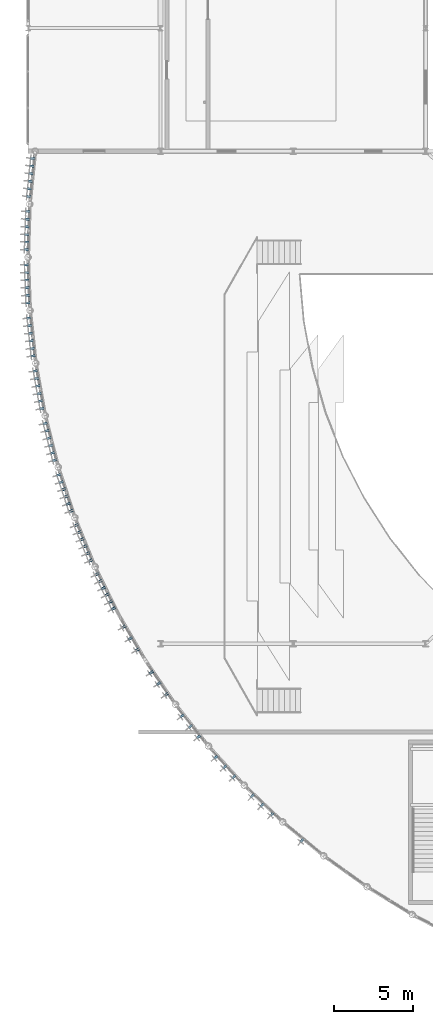
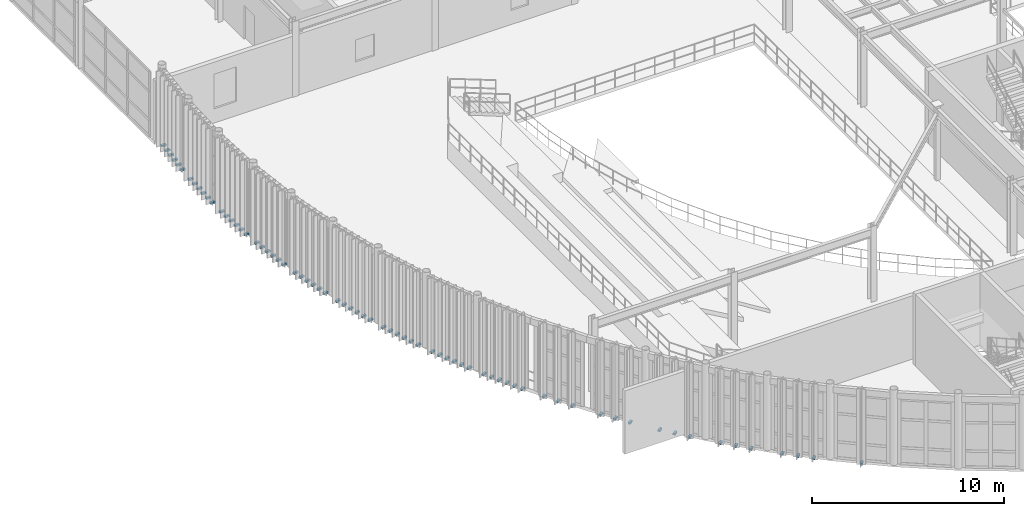
# One storey, part 105 of 116: 70 discrete accessories.
"""IFC4 building model written with IfcOpenShell, lengths in metres."""

import ifcopenshell
import ifcopenshell.guid

model = None  # the IFC model being written
_history = None  # IfcOwnerHistory: only IFC2X3 demands one
_inside = {}  # id of a spatial element -> (the spatial element, [elements in it])
_under = {}  # id of a project, library or spatial element -> (it, [spatial elements below it])
_declared = {}  # id of a project -> (the project, [libraries it declares])
_typed = {}  # id of a type object -> (the type object, [elements of that type])
_made_of = {}  # id of a material, layer set ... -> (it, [elements and type objects made of it])


def new_model(schema):
    """Start an empty IFC model of exactly this schema.

    Asked for "IFC4X3", IfcOpenShell would pick the latest addendum, in which some entities
    have other attributes; the version numbers below select the first issue.
    IFC2X3 requires an IfcOwnerHistory on every rooted entity: one is made here for all.
    """
    global model, _history
    if schema == "IFC4X3":
        model = ifcopenshell.file(schema_version=(4, 3, 0, 0))
    else:
        model = ifcopenshell.file(schema=schema)
    _inside.clear()
    _under.clear()
    _declared.clear()
    _typed.clear()
    _made_of.clear()
    _history = None
    if model.schema == "IFC2X3":
        org = make("IfcOrganization", Name="unknown")
        user = make(
            "IfcPersonAndOrganization",
            ThePerson=make("IfcPerson", FamilyName="unknown"),
            TheOrganization=org,
        )
        app = make(
            "IfcApplication",
            ApplicationDeveloper=org,
            Version="unknown",
            ApplicationFullName="unknown",
            ApplicationIdentifier="unknown",
        )
        _history = make(
            "IfcOwnerHistory",
            OwningUser=user,
            OwningApplication=app,
            ChangeAction="ADDED",
            CreationDate=0,
        )
    return model


def make(cls, **values):
    """One entity of the class cls with the attributes given. An attribute that is None is left unset."""
    return model.create_entity(
        cls, **{name: value for name, value in values.items() if value is not None}
    )


def rooted(cls, **values):
    """An entity with a GlobalId (a new one), such as an element, a storey or a relation."""
    return make(cls, GlobalId=ifcopenshell.guid.new(), OwnerHistory=_history, **values)


def si_unit(unit_type, name, prefix=None):
    """IfcSIUnit, for example si_unit("LENGTHUNIT", "METRE", prefix="MILLI")."""
    return make("IfcSIUnit", UnitType=unit_type, Prefix=prefix, Name=name)


def assignment(units):
    """IfcUnitAssignment: the units of a project."""
    return None if units is None else make("IfcUnitAssignment", Units=units)


def point(xyz):
    """IfcCartesianPoint."""
    return None if xyz is None else make("IfcCartesianPoint", Coordinates=xyz)


def direction(xyz):
    """IfcDirection."""
    return None if xyz is None else make("IfcDirection", DirectionRatios=xyz)


def frame(location, z_axis=None, x_axis=None):
    """IfcAxis2Placement3D, a coordinate frame: its origin and axes. An axis left out is left unset."""
    return make(
        "IfcAxis2Placement3D",
        Location=point(location),
        Axis=direction(z_axis),
        RefDirection=direction(x_axis),
    )


def frame_2d(location, x_axis=None):
    """IfcAxis2Placement2D, a coordinate frame in the plane: its origin and x axis."""
    return make(
        "IfcAxis2Placement2D", Location=point(location), RefDirection=direction(x_axis)
    )


def origin():
    """The frame at (0, 0, 0) with its axes left unset."""
    return frame((0.0, 0.0, 0.0))


def origin_2d():
    """The frame at (0, 0) in the plane with its x axis left unset."""
    return frame_2d((0.0, 0.0))


def place(relative_to, where):
    """IfcLocalPlacement: puts the frame where relative to a parent placement (None: the world)."""
    return make(
        "IfcLocalPlacement", PlacementRelTo=relative_to, RelativePlacement=where
    )


def context(
    kind, dimensions, precision=None, world=None, true_north=None, identifier=None
):
    """IfcGeometricRepresentationContext, for example the 3D "Model" context."""
    return make(
        "IfcGeometricRepresentationContext",
        ContextIdentifier=identifier,
        ContextType=kind,
        CoordinateSpaceDimension=dimensions,
        Precision=precision,
        WorldCoordinateSystem=world,
        TrueNorth=true_north,
    )


def subcontext(parent, identifier, kind, view, scale=None):
    """IfcGeometricRepresentationSubContext, for example "Body" below "Model"."""
    return make(
        "IfcGeometricRepresentationSubContext",
        ContextIdentifier=identifier,
        ContextType=kind,
        ParentContext=parent,
        TargetScale=scale,
        TargetView=view,
    )


def project(units=None, contexts=None):
    """IfcProject with its units and contexts."""
    return rooted(
        "IfcProject",
        Name="project",
        RepresentationContexts=contexts,
        UnitsInContext=assignment(units),
    )


def spatial(cls, under=None, at=None, **own):
    """A site, building, storey or space (cls), placed at a placement, below another one or the project."""
    s = rooted(cls, ObjectPlacement=at, **own)
    if under is not None:
        _under.setdefault(under.id(), (under, []))[1].append(s)
    return s


def profile(cls, at=None, kind="AREA", **sizes):
    """A parametric profile (cls). Its sizes go by their IFC names, for example OverallWidth=200.0."""
    return make(cls, ProfileType=kind, Position=at, **sizes)


def rectangle(**sizes):
    """IfcRectangleProfileDef."""
    return profile("IfcRectangleProfileDef", **sizes)


def extrude(swept, where, along, depth):
    """IfcExtrudedAreaSolid: the profile swept, set in the frame where, extruded along a direction by depth."""
    return make(
        "IfcExtrudedAreaSolid",
        SweptArea=swept,
        Position=where,
        ExtrudedDirection=direction(along),
        Depth=depth,
    )


def shape(context_of_items, identifier, shape_type, items):
    """IfcShapeRepresentation: the items that make up one representation, for example the "Body"."""
    return make(
        "IfcShapeRepresentation",
        ContextOfItems=context_of_items,
        RepresentationIdentifier=identifier,
        RepresentationType=shape_type,
        Items=items,
    )


def material(Name=None, Category=None):
    """IfcMaterial."""
    return make("IfcMaterial", Name=Name, Category=Category)


def made_of(thing, what):
    """Note that an element or type object is made of a material, layer set ...; save() writes the relation."""
    if what is not None:
        _made_of.setdefault(what.id(), (what, []))[1].append(thing)
    return thing


def type_object(cls, material=None, **own):
    """A type object (cls), such as IfcWallType, which elements share."""
    return made_of(rooted(cls, **own), material)


def element(
    cls,
    number,
    at=None,
    inside=None,
    cuts=None,
    type_object=None,
    material=None,
    context=None,
    identifier="Body",
    shape_type=None,
    held_by="IfcProductDefinitionShape",
    body=None,
    shapes=None,
    **own,
):
    """One element of the class cls, such as IfcWall. Its Tag is "e" and its number.

    at: its placement. inside: the storey or other place that contains it. cuts: it is an
    opening in that element (IfcRelVoidsElement). A single representation is given by context,
    identifier, shape_type and body (its items); several are given by shapes. held_by: the class
    of the entity that holds the representations. save() writes the other relations.
    """
    e = rooted(cls, Tag="e%d" % number, ObjectPlacement=at, **own)
    if body is not None:
        shapes = [shape(context, identifier, shape_type, body)]
    if shapes is not None:
        e.Representation = make(held_by, Representations=shapes)
    if inside is not None:
        _inside.setdefault(inside.id(), (inside, []))[1].append(e)
    if cuts is not None:
        rooted(
            "IfcRelVoidsElement", RelatingBuildingElement=cuts, RelatedOpeningElement=e
        )
    if type_object is not None:
        _typed.setdefault(type_object.id(), (type_object, []))[1].append(e)
    return made_of(e, material)


def aggregate(whole, parts):
    """IfcRelAggregates: a whole, such as a stair, and the parts it consists of."""
    return rooted("IfcRelAggregates", RelatingObject=whole, RelatedObjects=parts)


def save(model, path):
    """Write the relations noted so far, then the file.

    IfcRelAggregates (storeys below a building ...), IfcRelContainedInSpatialStructure (elements
    in a storey), IfcRelDefinesByType, IfcRelAssociatesMaterial and IfcRelDeclares: one each for
    every whole, place, type object, material and project.
    """
    for whole, parts in _under.values():
        aggregate(whole, parts)
    for where, things in _inside.values():
        rooted(
            "IfcRelContainedInSpatialStructure",
            RelatedElements=things,
            RelatingStructure=where,
        )
    for kind, things in _typed.values():
        rooted("IfcRelDefinesByType", RelatedObjects=things, RelatingType=kind)
    for what, things in _made_of.values():
        rooted("IfcRelAssociatesMaterial", RelatedObjects=things, RelatingMaterial=what)
    for by, libraries in _declared.values():
        rooted("IfcRelDeclares", RelatingContext=by, RelatedDefinitions=libraries)
    model.write(path)


model = new_model("IFC4")

# Units and contexts
model_context = context("Model", 3, precision=1e-05, world=origin(), true_north=direction((0.0, 1.0)))
body_context = subcontext(model_context, "Body", "Model", "MODEL_VIEW")
ifc_project = project(units=[si_unit("LENGTHUNIT", "METRE"), si_unit("AREAUNIT", "SQUARE_METRE"), si_unit("VOLUMEUNIT", "CUBIC_METRE"), si_unit("PLANEANGLEUNIT", "RADIAN"), si_unit("MASSUNIT", "GRAM", prefix="KILO")], contexts=[model_context])

# Site, building, storey
site_placement = place(None, origin())
site = spatial("IfcSite", under=ifc_project, at=site_placement, CompositionType="ELEMENT")
building_placement = place(site_placement, origin())
building = spatial("IfcBuilding", under=site, at=building_placement, Name="Selat Folded Stagehouse", CompositionType="ELEMENT")
storey_placement = place(building_placement, frame((0.0, 0.0, 5.39990234375)))
storey = spatial("IfcBuildingStorey", under=building, at=storey_placement, Name="L01", CompositionType="ELEMENT", Elevation=5.39990234375)

# Discrete accessories
ifc_material = material(Name="Stainless steel 1.4401", Category="steel")
discrete_accessory_type = type_object("IfcDiscreteAccessoryType", Name="ACC-BRK-280x140x110", PredefinedType="BRACKET", material=ifc_material)
for number, where, z_axis, x_axis, name in (
    (1, (0.28759765625, 54.13671875, -0.134765625), (0.0, 0.0, 1.0), (-0.991827775753, 0.127583945876, 0.0), "L01 solar fin slab bracket 001"),
    (2, (0.23779296875, 53.656494140625, -0.134765625), (0.0, 0.0, 1.0), (-0.993068456955, 0.117537397458, 0.0), "L01 solar fin slab bracket 006"),
    (3, (0.1884765625, 53.1767578125, -0.134765625), (0.0, 0.0, 1.0), (-0.994188602291, 0.107652324982, 0.0), "L01 solar fin slab bracket 011"),
    (4, (0.138916015625, 52.69677734375, -0.134765625), (0.0, 0.0, 1.0), (-0.995227399982, 0.097582899759, 0.0), "L01 solar fin slab bracket 016"),
    (5, (0.08935546875, 52.216796875, -0.134765625), (0.0, 0.0, 1.0), (-0.996148926897, 0.087677337101, 0.0), "L01 solar fin slab bracket 021"),
    (6, (0.039794921875, 51.73681640625, -0.134765625), (0.0, 0.0, 1.0), (-0.996971865568, 0.077763097071, 0.0), "L01 solar fin slab bracket 026"),
    (7, (-0.025390625, 50.774658203125, -0.134765625), (0.0, 0.0, 1.0), (-0.99833175459, 0.0577382696, 0.0), "L01 solar fin slab bracket 032"),
    (8, (-0.041259765625, 50.29248046875, -0.134765625), (0.0, 0.0, 1.0), (-0.998865073158, 0.047629461744, 0.0), "L01 solar fin slab bracket 038"),
    (9, (-0.056884765625, 49.810302734375, -0.134765625), (0.0, 0.0, 1.0), (-0.999289472641, 0.03769018267, 0.0), "L01 solar fin slab bracket 044"),
    (10, (-0.07275390625, 49.327880859375, -0.134765625), (0.0, 0.0, 1.0), (-0.999619800631, 0.027572707275, 0.0), "L01 solar fin slab bracket 050"),
    (11, (-0.08837890625, 48.845703125, -0.134765625), (0.0, 0.0, 1.0), (-0.999844633908, 0.017626912514, 0.0), "L01 solar fin slab bracket 056"),
    (12, (-0.104248046875, 48.363525390625, -0.134765625), (0.0, 0.0, 1.0), (-0.999971838252, 0.007504845333, 0.0), "L01 solar fin slab bracket 062"),
    (13, (-0.101806640625, 47.399169921875, -0.134765625), (0.0, 0.0, 1.0), (-0.999921044204, -0.012566039883, 0.0), "L01 solar fin slab bracket 068"),
    (14, (-0.083740234375, 46.9169921875, -0.134765625), (0.0, 0.0, 1.0), (-0.999746553782, -0.022512845226, 0.0), "L01 solar fin slab bracket 074"),
    (15, (-0.065673828125, 46.434814453125, -0.134765625), (0.0, 0.0, 1.0), (-0.999467438949, -0.032631862958, 0.0), "L01 solar fin slab bracket 080"),
    (16, (-0.04736328125, 45.95263671875, -0.134765625), (0.0, 0.0, 1.0), (-0.9990933519, -0.042573162788, 0.0), "L01 solar fin slab bracket 086"),
    (17, (-0.029296875, 45.470703125, -0.134765625), (0.0, 0.0, 1.0), (-0.998620385197, -0.052510249179, 0.0), "L01 solar fin slab bracket 092"),
    (18, (-0.01123046875, 44.98828125, -0.134765625), (0.0, 0.0, 1.0), (-0.99803767224, -0.06261633005, 0.0), "L01 solar fin slab bracket 098"),
    (19, (0.058837890625, 44.026611328125, -0.134765625), (0.0, 0.0, 1.0), (-0.996579940078, -0.08263427276, 0.0), "L01 solar fin slab bracket 104"),
    (20, (0.11083984375, 43.546875, -0.134765625), (0.0, 0.0, 1.0), (-0.99570856131, -0.092544372783, 0.0), "L01 solar fin slab bracket 110"),
    (21, (0.16259765625, 43.067138671875, -0.134765625), (0.0, 0.0, 1.0), (-0.994720742649, -0.10261892683, 0.0), "L01 solar fin slab bracket 116"),
    (22, (0.214599609375, 42.58740234375, -0.134765625), (0.0, 0.0, 1.0), (-0.993650644295, -0.112509542228, 0.0), "L01 solar fin slab bracket 122"),
    (23, (0.2666015625, 42.10791015625, -0.134765625), (0.0, 0.0, 1.0), (-0.992460828919, -0.122562241583, 0.0), "L01 solar fin slab bracket 128"),
    (24, (0.318359375, 41.628173828125, -0.134765625), (0.0, 0.0, 1.0), (-0.99119244206, -0.13242938799, 0.0), "L01 solar fin slab bracket 134"),
    (25, (0.455810546875, 40.673583984375, -0.134765625), (0.0, 0.0, 1.0), (-0.988334944875, -0.152295885498, 0.0), "L01 solar fin slab bracket 140"),
    (26, (0.541015625, 40.19873046875, -0.134765625), (0.0, 0.0, 1.0), (-0.986770965572, -0.162120515372, 0.0), "L01 solar fin slab bracket 146"),
    (27, (0.62646484375, 39.723876953125, -0.134765625), (0.0, 0.0, 1.0), (-0.985079303862, -0.172101031672, 0.0), "L01 solar fin slab bracket 152"),
    (28, (0.7119140625, 39.248779296875, -0.134765625), (0.0, 0.0, 1.0), (-0.983318459858, -0.181892293686, 0.0), "L01 solar fin slab bracket 158"),
    (29, (0.79736328125, 38.774169921875, -0.134765625), (0.0, 0.0, 1.0), (-0.981426830534, -0.191836848149, 0.0), "L01 solar fin slab bracket 164"),
    (30, (0.8828125, 38.29931640625, -0.134765625), (0.0, 0.0, 1.0), (-0.979469831173, -0.20159079796, 0.0), "L01 solar fin slab bracket 170"),
    (31, (1.086669921875, 37.356689453125, -0.134765625), (0.0, 0.0, 1.0), (-0.975226629909, -0.22120809279, 0.0), "L01 solar fin slab bracket 176"),
    (32, (1.205078125, 36.888916015625, -0.134765625), (0.0, 0.0, 1.0), (-0.972937431695, -0.231068721395, 0.0), "L01 solar fin slab bracket 182"),
    (33, (1.32373046875, 36.421142578125, -0.134765625), (0.0, 0.0, 1.0), (-0.970590565411, -0.240736275485, 0.0), "L01 solar fin slab bracket 188"),
    (34, (1.442138671875, 35.95361328125, -0.134765625), (0.0, 0.0, 1.0), (-0.968103926078, -0.25054897388, 0.0), "L01 solar fin slab bracket 194"),
    (35, (1.560791015625, 35.48583984375, -0.134765625), (0.0, 0.0, 1.0), (-0.965563505285, -0.260167479254, 0.0), "L01 solar fin slab bracket 200"),
    (36, (1.67919921875, 35.01806640625, -0.134765625), (0.0, 0.0, 1.0), (-0.962880426559, -0.26992829446, 0.0), "L01 solar fin slab bracket 206"),
    (37, (1.94873046875, 34.092041015625, -0.134765625), (0.0, 0.0, 1.0), (-0.957319497532, -0.289031796944, 0.0), "L01 solar fin slab bracket 212"),
    (38, (2.099853515625, 33.6337890625, -0.134765625), (0.0, 0.0, 1.0), (-0.954344655307, -0.298707681332, 0.0), "L01 solar fin slab bracket 218"),
    (39, (2.250732421875, 33.175537109375, -0.134765625), (0.0, 0.0, 1.0), (-0.951325822325, -0.308186923436, 0.0), "L01 solar fin slab bracket 224"),
    (40, (2.40185546875, 32.71728515625, -0.134765625), (0.0, 0.0, 1.0), (-0.94815738489, -0.317801153992, 0.0), "L01 solar fin slab bracket 230"),
    (41, (2.552978515625, 32.259033203125, -0.134765625), (0.0, 0.0, 1.0), (-0.944948912158, -0.327217898979, 0.0), "L01 solar fin slab bracket 236"),
    (42, (2.7041015625, 31.80078125, -0.134765625), (0.0, 0.0, 1.0), (-0.941588155895, -0.336766602676, 0.0), "L01 solar fin slab bracket 242"),
    (43, (3.037841796875, 30.89599609375, -0.134765625), (0.0, 0.0, 1.0), (-0.93463961469, -0.355596387288, 0.0), "L01 solar fin slab bracket 248"),
    (44, (3.220703125, 30.44970703125, -0.134765625), (0.0, 0.0, 1.0), (-0.931055815863, -0.364876784338, 0.0), "L01 solar fin slab bracket 254"),
    (45, (3.4033203125, 30.003173828125, -0.134765625), (0.0, 0.0, 1.0), (-0.927314560446, -0.374282922379, 0.0), "L01 solar fin slab bracket 260"),
    (46, (3.586181640625, 29.556640625, -0.134765625), (0.0, 0.0, 1.0), (-0.923545226472, -0.383489523534, 0.0), "L01 solar fin slab bracket 266"),
    (47, (3.76904296875, 29.110107421875, -0.134765625), (0.0, 0.0, 1.0), (-0.91961594401, -0.392818680211, 0.0), "L01 solar fin slab bracket 272"),
    (48, (3.951904296875, 28.66357421875, -0.134765625), (0.0, 0.0, 1.0), (-0.91566259334, -0.401947776656, 0.0), "L01 solar fin slab bracket 278"),
    (49, (4.348388671875, 27.784423828125, -0.134765625), (0.0, 0.0, 1.0), (-0.907411091929, -0.420244107924, 0.0), "L01 solar fin slab bracket 284"),
    (50, (4.56201171875, 27.351806640625, -0.134765625), (0.0, 0.0, 1.0), (-0.903185511225, -0.429250430767, 0.0), "L01 solar fin slab bracket 290"),
    (51, (4.775634765625, 26.919189453125, -0.134765625), (0.0, 0.0, 1.0), (-0.898794046299, -0.438371146789, 0.0), "L01 solar fin slab bracket 296"),
    (52, (4.9892578125, 26.486572265625, -0.134765625), (0.0, 0.0, 1.0), (-0.89438856037, -0.447290848419, 0.0), "L01 solar fin slab bracket 302"),
    (53, (5.202880859375, 26.053955078125, -0.134765625), (0.0, 0.0, 1.0), (-0.889814927768, -0.4563215909, 0.0), "L01 solar fin slab bracket 308"),
    (54, (5.41650390625, 25.621337890625, -0.134765625), (0.0, 0.0, 1.0), (-0.885231311332, -0.465151078077, 0.0), "L01 solar fin slab bracket 314"),
    (55, (6.056396484375, 24.459716796875, -0.134765625), (0.0, 0.0, 1.0), (-0.872069272432, -0.489382451749, 0.0), "L01 solar fin slab bracket 320"),
    (56, (6.482421875, 23.73095703125, -0.134765625), (0.0, 0.0, 1.0), (-0.863307480775, -0.504678307081, 0.0), "L01 solar fin slab bracket 326"),
    (57, (6.90869140625, 23.001953125, -0.134765625), (0.0, 0.0, 1.0), (-0.854368143929, -0.519668235165, 0.0), "L01 solar fin slab bracket 332"),
    (58, (7.810791015625, 21.57568359375, -0.134765625), (0.0, 0.0, 1.0), (-0.835615665335, -0.549314536351, 0.0), "L01 solar fin slab bracket 338"),
    (59, (8.287109375, 20.87841796875, -0.134765625), (0.0, 0.0, 1.0), (-0.82580311972, -0.563958515726, 0.0), "L01 solar fin slab bracket 344"),
    (60, (8.76318359375, 20.18115234375, -0.134765625), (0.0, 0.0, 1.0), (-0.815733970499, -0.578427255041, 0.0), "L01 solar fin slab bracket 350"),
    (61, (9.763427734375, 18.82177734375, -0.134765625), (0.0, 0.0, 1.0), (-0.794944353388, -0.606682351002, 0.0), "L01 solar fin slab bracket 356"),
    (62, (10.287353515625, 18.15966796875, -0.134765625), (0.0, 0.0, 1.0), (-0.784235212544, -0.620463642292, 0.0), "L01 solar fin slab bracket 362"),
    (63, (10.811279296875, 17.49755859375, -0.134765625), (0.0, 0.0, 1.0), (-0.773176510644, -0.634190888762, 0.0), "L01 solar fin slab bracket 368"),
    (64, (11.904296875, 16.211669921875, -0.134765625), (0.0, 0.0, 1.0), (-0.750457228874, -0.660919017453, 0.0), "L01 solar fin slab bracket 374"),
    (65, (12.473388671875, 15.587890625, -0.134765625), (0.0, 0.0, 1.0), (-0.738690671568, -0.674044576967, 0.0), "L01 solar fin slab bracket 380"),
    (66, (13.04248046875, 14.964111328125, -0.134765625), (0.0, 0.0, 1.0), (-0.726814465487, -0.686833846544, 0.0), "L01 solar fin slab bracket 386"),
    (67, (14.222900390625, 13.758056640625, -0.134765625), (0.0, 0.0, 1.0), (-0.702277314289, -0.711903486321, 0.0), "L01 solar fin slab bracket 392"),
    (68, (14.83447265625, 13.17578125, -0.134765625), (0.0, 0.0, 1.0), (-0.689619543736, -0.724171861437, 0.0), "L01 solar fin slab bracket 398"),
    (69, (15.44580078125, 12.59326171875, -0.134765625), (0.0, 0.0, 1.0), (-0.676875969683, -0.73609708712, 0.0), "L01 solar fin slab bracket 404"),
    (70, (17.35888671875, 10.93505859375, -0.134765625), (0.0, 0.0, 1.0), (-0.63715499106, -0.770735698776, 0.0), "L01 solar fin slab bracket 410"),
):
    element("IfcDiscreteAccessory", number, at=place(storey_placement, frame(where, z_axis=z_axis, x_axis=x_axis)), inside=storey, type_object=discrete_accessory_type, Name=name, PredefinedType="BRACKET", context=body_context, shape_type="SweptSolid", body=[
        extrude(rectangle(XDim=0.280029296875, YDim=0.139892578125, at=origin_2d()), origin(), (0.0, 0.0, 1.0), 0.110107421875),
    ])

save(model, "model.ifc")
